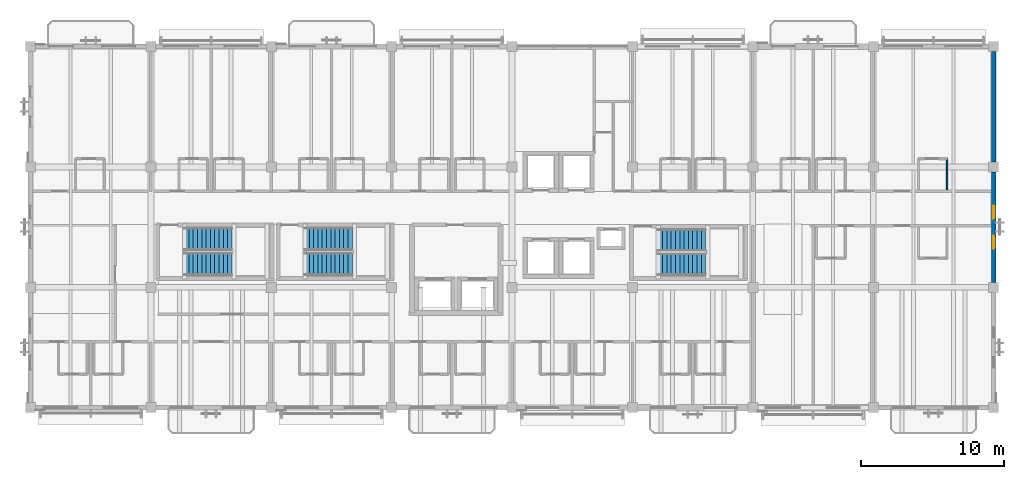
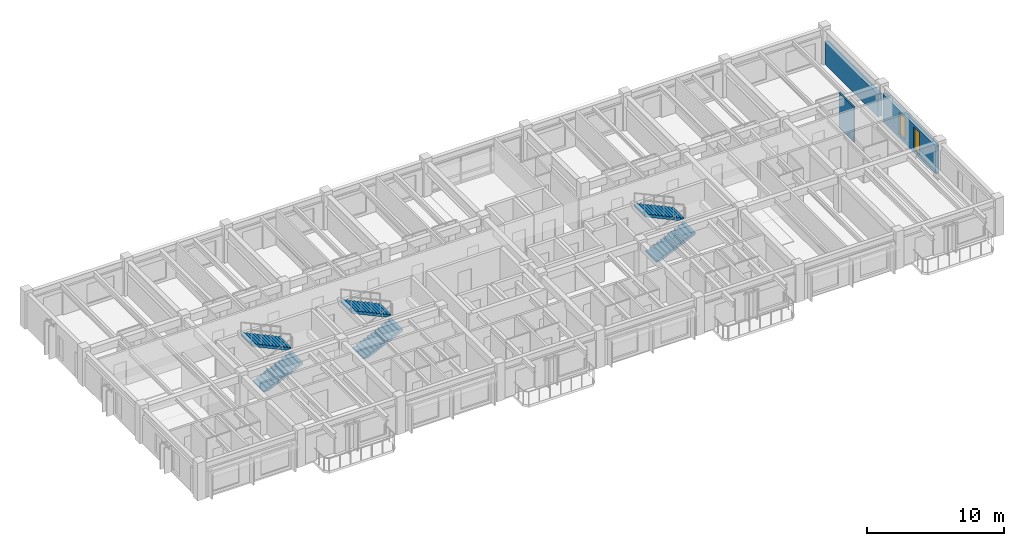
# One storey, part 12 of 18: 6 stair flights, 3 walls, 2 windows, 2 openings, 3 elements without a shape of their own.
"""IFC4 building model written with IfcOpenShell, lengths in metres."""

from ifc_helpers import new_model, si_unit, direction, frame, frame_2d, origin, place, context, subcontext, project, spatial, polyline, rectangle, outline, extrude, material, layer, layer_set, type_object, element, fill, aggregate, save


model = new_model("IFC4")

# Units and contexts
model_context = context("Model", 3, precision=1e-05, world=origin(), true_north=direction((0.0, 1.0)))
body_context = subcontext(model_context, "Body", "Model", "MODEL_VIEW")
ifc_project = project(units=[si_unit("LENGTHUNIT", "METRE"), si_unit("AREAUNIT", "SQUARE_METRE"), si_unit("VOLUMEUNIT", "CUBIC_METRE"), si_unit("PLANEANGLEUNIT", "RADIAN"), si_unit("MASSUNIT", "GRAM", prefix="KILO")], contexts=[model_context])

# Site, building, storey
site_placement = place(None, origin())
site = spatial("IfcSite", under=ifc_project, at=site_placement, CompositionType="ELEMENT")
building_placement = place(site_placement, origin())
building = spatial("IfcBuilding", under=site, at=building_placement, Name="Cumbredor Promenade Congress Hotel", CompositionType="ELEMENT")
storey_placement = place(building_placement, frame((0.0, 0.0, 25.199951171875)))
storey = spatial("IfcBuildingStorey", under=building, at=storey_placement, Name="L07", CompositionType="ELEMENT", Elevation=25.199951171875)

# Wall
ifc_material_1 = material(Name="Moisture-resistant gypsum board on steel studs", Category="steel")
ifc_layer_1 = layer(ifc_material_1, 0.114990234375, Name="Moisture-resistant gypsum board on steel studs", Category="steel")
ifc_layer_set_1 = layer_set([ifc_layer_1], Name="Moisture-resistant gypsum board on steel studs")
wall_type_1 = type_object("IfcWallType", Name="WL-BATH-115", PredefinedType="PARTITIONING", material=ifc_layer_set_1)
wall_1_placement = place(storey_placement, frame((63.949951171875, 107.6201171875, 0.0), z_axis=(0.0, 0.0, 1.0), x_axis=(0.0, 1.0, 0.0)))
element("IfcWall", 1, at=wall_1_placement, inside=storey, type_object=wall_type_1, Name="L07 Interior Partition W-L07-BV2-0712", PredefinedType="PARTITIONING", context=body_context, shape_type="SweptSolid", body=[
    extrude(rectangle(XDim=2.14990234375, YDim=0.114990234375, at=frame_2d((1.074951171875, 0.0))), origin(), (0.0, 0.0, 1.0), 3.1201171875),
])

# Wall, openings, windows
ifc_material_2 = material(Name="Concrete C40/50", Category="concrete")
ifc_layer_2 = layer(ifc_material_2, 0.300048828125, Name="Concrete C40/50", Category="concrete")
ifc_layer_set_2 = layer_set([ifc_layer_2], Name="Concrete C40/50")
wall_type_2 = type_object("IfcWallType", Name="WL-EXT-300", PredefinedType="SOLIDWALL", material=ifc_layer_set_2)
wall_2_placement = place(storey_placement, frame((67.199951171875, 101.15087890625, 0.0), z_axis=(0.0, 0.0, 1.0), x_axis=(0.0, 1.0, 0.0)))
wall_2 = element("IfcWall", 2, at=wall_2_placement, inside=storey, type_object=wall_type_2, Name="L07 Stepped Congress Hotel Wing East Envelope Wall 2", PredefinedType="SOLIDWALL", context=body_context, shape_type="SweptSolid", body=[
    extrude(rectangle(XDim=7.6982421875, YDim=0.300048828125, at=frame_2d((3.84912109375, 0.0))), origin(), (0.0, 0.0, 1.0), 2.494140625),
])
opening_1_placement = place(wall_2_placement, frame((2.34912109375, 0.0, 0.300048828125)))
opening_1 = element("IfcOpeningElement", 3, at=opening_1_placement, cuts=wall_2, Name="Opening WN-52", PredefinedType="OPENING", context=body_context, shape_type="SweptSolid", body=[
    extrude(rectangle(XDim=0.89990234375, YDim=1.949951171875, at=frame_2d((0.449951171875, 0.97509765625))), frame((0.0, 0.16015625, 0.0), z_axis=(0.0, -1.0, 0.0), x_axis=(1.0, 0.0, 0.0)), (0.0, 0.0, 1.0), 0.320068359375),
])
opening_2_placement = place(wall_2_placement, frame((4.448974609375, 0.0, 0.300048828125)))
opening_2 = element("IfcOpeningElement", 4, at=opening_2_placement, cuts=wall_2, Name="Opening WN-52", PredefinedType="OPENING", context=body_context, shape_type="SweptSolid", body=[
    extrude(rectangle(XDim=0.89990234375, YDim=1.949951171875, at=frame_2d((0.449951171875, 0.97509765625))), frame((0.0, 0.16015625, 0.0), z_axis=(0.0, -1.0, 0.0), x_axis=(1.0, 0.0, 0.0)), (0.0, 0.0, 1.0), 0.320068359375),
])
ifc_material_3 = material(Name="Thermally broken anodized aluminium and low-E glass", Category="aluminium")
window_type = type_object("IfcWindowType", Name="Vertical Slot Window WN-52 900x1950", PartitioningType="SINGLE_PANEL", PredefinedType="WINDOW", material=ifc_material_3)
window_1_placement = place(opening_1_placement, origin())
window_1 = element("IfcWindow", 5, at=window_1_placement, inside=storey, type_object=window_type, Name="L07 Vertical Slot Window 0646", OverallHeight=1.949951171875, OverallWidth=0.89990234375, PartitioningType="SINGLE_PANEL", PredefinedType="WINDOW", context=body_context, shape_type="SweptSolid", body=[
    extrude(rectangle(XDim=0.89990234375, YDim=1.949951171875, at=frame_2d((0.449951171875, 0.97509765625))), frame((0.0, 0.030029296875, 0.0), z_axis=(0.0, -1.0, 0.0), x_axis=(1.0, 0.0, 0.0)), (0.0, 0.0, 1.0), 0.06005859375),
])
fill(opening_1, window_1)
window_2_placement = place(opening_2_placement, origin())
window_2 = element("IfcWindow", 6, at=window_2_placement, inside=storey, type_object=window_type, Name="L07 Vertical Slot Window 0647", OverallHeight=1.949951171875, OverallWidth=0.89990234375, PartitioningType="SINGLE_PANEL", PredefinedType="WINDOW", context=body_context, shape_type="SweptSolid", body=[
    extrude(rectangle(XDim=0.89990234375, YDim=1.949951171875, at=frame_2d((0.449951171875, 0.97509765625))), frame((0.0, 0.030029296875, 0.0), z_axis=(0.0, -1.0, 0.0), x_axis=(1.0, 0.0, 0.0)), (0.0, 0.0, 1.0), 0.06005859375),
])
fill(opening_2, window_2)

# Wall
ifc_layer_3 = layer(ifc_material_2, 0.324951171875, Name="Concrete C40/50", Category="concrete")
ifc_layer_set_3 = layer_set([ifc_layer_3], Name="Concrete C40/50")
wall_type_3 = type_object("IfcWallType", Name="WL-EXT-325", PredefinedType="SOLIDWALL", material=ifc_layer_set_3)
wall_3_placement = place(storey_placement, frame((67.199951171875, 109.551025390625, 0.0), z_axis=(0.0, 0.0, 1.0), x_axis=(0.0, 1.0, 0.0)))
element("IfcWall", 7, at=wall_3_placement, inside=storey, type_object=wall_type_3, Name="L07 Stepped Congress Hotel Wing East Envelope Wall 3", PredefinedType="SOLIDWALL", context=body_context, shape_type="SweptSolid", body=[
    extrude(rectangle(XDim=7.697998046875, YDim=0.324951171875, at=frame_2d((3.84912109375, 0.0))), origin(), (0.0, 0.0, 1.0), 2.012939453125),
])

# Stair, stair flights
stair_type_1 = type_object("IfcStairType", Name="Protected Dog-Leg Exit Stair ST-T1 1550mm", PredefinedType="HALF_TURN_STAIR", material=ifc_material_2)
stair_1_placement = place(storey_placement, origin())
stair_1 = element("IfcStair", 8, at=stair_1_placement, inside=storey, type_object=stair_type_1, Name="L07 Protected Exit Stair ST-03", PredefinedType="HALF_TURN_STAIR")
stair_flight_type_1 = type_object("IfcStairFlightType", Name="Concrete Stair Flight SFL-T1 1550mm", PredefinedType="STRAIGHT", material=ifc_material_2)
stair_flight_1_placement = place(storey_placement, frame((43.800048828125, 102.39501953125, 0.0), z_axis=(0.0, 0.0, 1.0), x_axis=(1.0, 0.0, 0.0)))
stair_flight_1 = element("IfcStairFlight", 9, at=stair_flight_1_placement, type_object=stair_flight_type_1, Name="ST-03 flight 1", NumberOfRisers=12, NumberOfTreads=11, PredefinedType="STRAIGHT", RiserHeight=0.14, TreadLength=0.3, context=body_context, shape_type="SweptSolid", body=[
    extrude(outline(polyline([(0.0, 0.0), (0.0, 0.139892578125), (0.300048828125, 0.139892578125), (0.300048828125, 0.280029296875), (0.60009765625, 0.280029296875), (0.60009765625, 0.419921875), (0.89990234375, 0.419921875), (0.89990234375, 0.56005859375), (1.199951171875, 0.56005859375), (1.199951171875, 0.699951171875), (1.5, 0.699951171875), (1.5, 0.840087890625), (1.800048828125, 0.840087890625), (1.800048828125, 0.97998046875), (2.10009765625, 0.97998046875), (2.10009765625, 1.1201171875), (2.39990234375, 1.1201171875), (2.39990234375, 1.260009765625), (2.699951171875, 1.260009765625), (2.699951171875, 1.39990234375), (3.0, 1.39990234375), (3.0, 1.5400390625), (3.300048828125, 1.5400390625), (3.300048828125, 1.679931640625), (3.300048828125, 1.341552734375), (0.425537109375, 0.0), (0.0, 0.0)])), frame((0.0, 0.77490234375, 0.0), z_axis=(0.0, -1.0, 0.0), x_axis=(1.0, 0.0, 0.0)), (0.0, 0.0, 1.0), 1.550048828125),
])
stair_flight_2_placement = place(storey_placement, frame((47.10009765625, 104.094970703125, 1.679931640625), z_axis=(0.0, 0.0, 1.0), x_axis=(-1.0, 0.0, 0.0)))
stair_flight_2 = element("IfcStairFlight", 10, at=stair_flight_2_placement, type_object=stair_flight_type_1, Name="ST-03 flight 2", NumberOfRisers=12, NumberOfTreads=11, PredefinedType="STRAIGHT", RiserHeight=0.14, TreadLength=0.3, context=body_context, shape_type="SweptSolid", body=[
    extrude(outline(polyline([(0.0, 0.0), (0.0, 0.139892578125), (0.300048828125, 0.139892578125), (0.300048828125, 0.280029296875), (0.60009765625, 0.280029296875), (0.60009765625, 0.419921875), (0.89990234375, 0.419921875), (0.89990234375, 0.56005859375), (1.199951171875, 0.56005859375), (1.199951171875, 0.699951171875), (1.5, 0.699951171875), (1.5, 0.840087890625), (1.800048828125, 0.840087890625), (1.800048828125, 0.97998046875), (2.10009765625, 0.97998046875), (2.10009765625, 1.1201171875), (2.39990234375, 1.1201171875), (2.39990234375, 1.260009765625), (2.699951171875, 1.260009765625), (2.699951171875, 1.39990234375), (3.0, 1.39990234375), (3.0, 1.5400390625), (3.300048828125, 1.5400390625), (3.300048828125, 1.679931640625), (3.300048828125, 1.341552734375), (0.425537109375, 0.0), (0.0, 0.0)])), frame((0.0, 0.77490234375, 0.0), z_axis=(0.0, -1.0, 0.0), x_axis=(1.0, 0.0, 0.0)), (0.0, 0.0, 1.0), 1.550048828125),
])
aggregate(stair_1, [stair_flight_1, stair_flight_2])

stair_type_2 = type_object("IfcStairType", Name="Protected Dog-Leg Exit Stair ST-T2 1600mm", PredefinedType="HALF_TURN_STAIR", material=ifc_material_2)
stair_2_placement = place(storey_placement, origin())
stair_2 = element("IfcStair", 11, at=stair_2_placement, inside=storey, type_object=stair_type_2, Name="L07 Protected Exit Stair ST-01", PredefinedType="HALF_TURN_STAIR")
stair_flight_type_2 = type_object("IfcStairFlightType", Name="Concrete Stair Flight SFL-T2 1600mm", PredefinedType="STRAIGHT", material=ifc_material_2)
stair_flight_3_placement = place(storey_placement, frame((10.75, 102.419921875, 0.0), z_axis=(0.0, 0.0, 1.0), x_axis=(1.0, 0.0, 0.0)))
stair_flight_3 = element("IfcStairFlight", 12, at=stair_flight_3_placement, type_object=stair_flight_type_2, Name="ST-01 flight 1", NumberOfRisers=12, NumberOfTreads=11, PredefinedType="STRAIGHT", RiserHeight=0.14, TreadLength=0.3, context=body_context, shape_type="SweptSolid", body=[
    extrude(outline(polyline([(0.0, 0.0), (0.0, 0.139892578125), (0.300048828125, 0.139892578125), (0.300048828125, 0.280029296875), (0.60009765625, 0.280029296875), (0.60009765625, 0.419921875), (0.89990234375, 0.419921875), (0.89990234375, 0.56005859375), (1.199951171875, 0.56005859375), (1.199951171875, 0.699951171875), (1.5, 0.699951171875), (1.5, 0.840087890625), (1.800048828125, 0.840087890625), (1.800048828125, 0.97998046875), (2.10009765625, 0.97998046875), (2.10009765625, 1.1201171875), (2.39990234375, 1.1201171875), (2.39990234375, 1.260009765625), (2.699951171875, 1.260009765625), (2.699951171875, 1.39990234375), (3.0, 1.39990234375), (3.0, 1.5400390625), (3.300048828125, 1.5400390625), (3.300048828125, 1.679931640625), (3.300048828125, 1.341552734375), (0.425537109375, 0.0), (0.0, 0.0)])), frame((0.0, 0.800048828125, 0.0), z_axis=(0.0, -1.0, 0.0), x_axis=(1.0, 0.0, 0.0)), (0.0, 0.0, 1.0), 1.60009765625),
])
stair_flight_4_placement = place(storey_placement, frame((14.050048828125, 104.169921875, 1.679931640625), z_axis=(0.0, 0.0, 1.0), x_axis=(-1.0, 0.0, 0.0)))
stair_flight_4 = element("IfcStairFlight", 13, at=stair_flight_4_placement, type_object=stair_flight_type_2, Name="ST-01 flight 2", NumberOfRisers=12, NumberOfTreads=11, PredefinedType="STRAIGHT", RiserHeight=0.14, TreadLength=0.3, context=body_context, shape_type="SweptSolid", body=[
    extrude(outline(polyline([(0.0, 0.0), (0.0, 0.139892578125), (0.300048828125, 0.139892578125), (0.300048828125, 0.280029296875), (0.60009765625, 0.280029296875), (0.60009765625, 0.419921875), (0.89990234375, 0.419921875), (0.89990234375, 0.56005859375), (1.199951171875, 0.56005859375), (1.199951171875, 0.699951171875), (1.5, 0.699951171875), (1.5, 0.840087890625), (1.800048828125, 0.840087890625), (1.800048828125, 0.97998046875), (2.10009765625, 0.97998046875), (2.10009765625, 1.1201171875), (2.39990234375, 1.1201171875), (2.39990234375, 1.260009765625), (2.699951171875, 1.260009765625), (2.699951171875, 1.39990234375), (3.0, 1.39990234375), (3.0, 1.5400390625), (3.300048828125, 1.5400390625), (3.300048828125, 1.679931640625), (3.300048828125, 1.341552734375), (0.425537109375, 0.0), (0.0, 0.0)])), frame((0.0, 0.800048828125, 0.0), z_axis=(0.0, -1.0, 0.0), x_axis=(1.0, 0.0, 0.0)), (0.0, 0.0, 1.0), 1.60009765625),
])
aggregate(stair_2, [stair_flight_3, stair_flight_4])

stair_3_placement = place(storey_placement, origin())
stair_3 = element("IfcStair", 14, at=stair_3_placement, inside=storey, type_object=stair_type_2, Name="L07 Protected Exit Stair ST-02", PredefinedType="HALF_TURN_STAIR")
stair_flight_5_placement = place(storey_placement, frame((19.14990234375, 102.419921875, 0.0), z_axis=(0.0, 0.0, 1.0), x_axis=(1.0, 0.0, 0.0)))
stair_flight_5 = element("IfcStairFlight", 15, at=stair_flight_5_placement, type_object=stair_flight_type_2, Name="ST-02 flight 1", NumberOfRisers=12, NumberOfTreads=11, PredefinedType="STRAIGHT", RiserHeight=0.14, TreadLength=0.3, context=body_context, shape_type="SweptSolid", body=[
    extrude(outline(polyline([(0.0, 0.0), (0.0, 0.139892578125), (0.300048828125, 0.139892578125), (0.300048828125, 0.280029296875), (0.60009765625, 0.280029296875), (0.60009765625, 0.419921875), (0.89990234375, 0.419921875), (0.89990234375, 0.56005859375), (1.199951171875, 0.56005859375), (1.199951171875, 0.699951171875), (1.5, 0.699951171875), (1.5, 0.840087890625), (1.800048828125, 0.840087890625), (1.800048828125, 0.97998046875), (2.10009765625, 0.97998046875), (2.10009765625, 1.1201171875), (2.39990234375, 1.1201171875), (2.39990234375, 1.260009765625), (2.699951171875, 1.260009765625), (2.699951171875, 1.39990234375), (3.0, 1.39990234375), (3.0, 1.5400390625), (3.300048828125, 1.5400390625), (3.300048828125, 1.679931640625), (3.300048828125, 1.341552734375), (0.425537109375, 0.0), (0.0, 0.0)])), frame((0.0, 0.800048828125, 0.0), z_axis=(0.0, -1.0, 0.0), x_axis=(1.0, 0.0, 0.0)), (0.0, 0.0, 1.0), 1.60009765625),
])
stair_flight_6_placement = place(storey_placement, frame((22.449951171875, 104.169921875, 1.679931640625), z_axis=(0.0, 0.0, 1.0), x_axis=(-1.0, 0.0, 0.0)))
stair_flight_6 = element("IfcStairFlight", 16, at=stair_flight_6_placement, type_object=stair_flight_type_2, Name="ST-02 flight 2", NumberOfRisers=12, NumberOfTreads=11, PredefinedType="STRAIGHT", RiserHeight=0.14, TreadLength=0.3, context=body_context, shape_type="SweptSolid", body=[
    extrude(outline(polyline([(0.0, 0.0), (0.0, 0.139892578125), (0.300048828125, 0.139892578125), (0.300048828125, 0.280029296875), (0.60009765625, 0.280029296875), (0.60009765625, 0.419921875), (0.89990234375, 0.419921875), (0.89990234375, 0.56005859375), (1.199951171875, 0.56005859375), (1.199951171875, 0.699951171875), (1.5, 0.699951171875), (1.5, 0.840087890625), (1.800048828125, 0.840087890625), (1.800048828125, 0.97998046875), (2.10009765625, 0.97998046875), (2.10009765625, 1.1201171875), (2.39990234375, 1.1201171875), (2.39990234375, 1.260009765625), (2.699951171875, 1.260009765625), (2.699951171875, 1.39990234375), (3.0, 1.39990234375), (3.0, 1.5400390625), (3.300048828125, 1.5400390625), (3.300048828125, 1.679931640625), (3.300048828125, 1.341552734375), (0.425537109375, 0.0), (0.0, 0.0)])), frame((0.0, 0.800048828125, 0.0), z_axis=(0.0, -1.0, 0.0), x_axis=(1.0, 0.0, 0.0)), (0.0, 0.0, 1.0), 1.60009765625),
])
aggregate(stair_3, [stair_flight_5, stair_flight_6])

save(model, "model.ifc")
